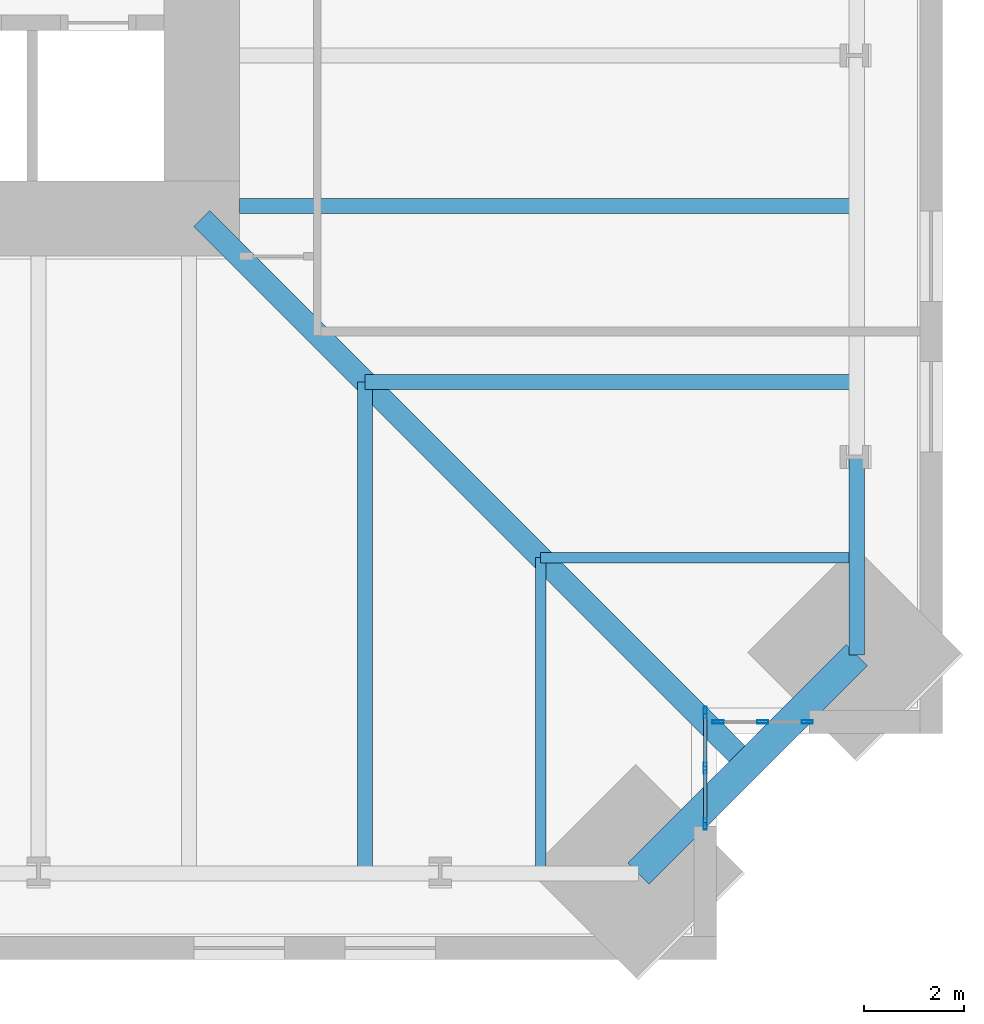
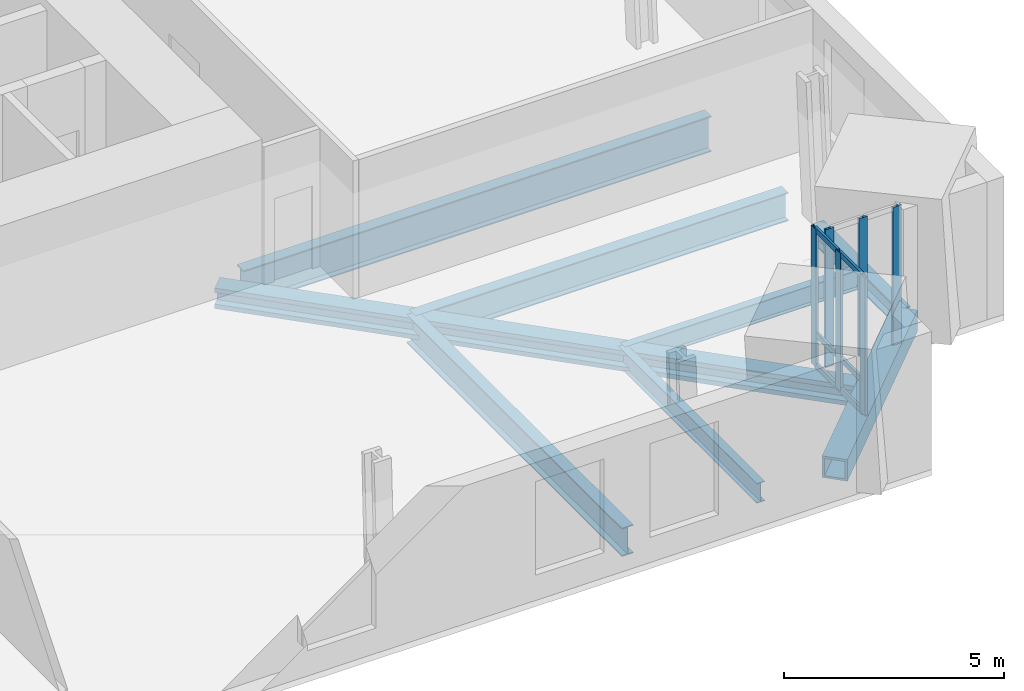
# One storey, part 4 of 18: 12 members, 8 beams, 2 elements without a shape of their own.
"""IFC4 building model written with IfcOpenShell, lengths in metres."""

from ifc_helpers import new_model, si_unit, direction, frame, origin, origin_2d, place, context, subcontext, project, spatial, hollow_rectangle, i_section, extrude, material, material_profile, profile_set, type_object, element, aggregate, save


model = new_model("IFC4")

# Units and contexts
model_context = context("Model", 3, precision=1e-05, world=origin(), true_north=direction((0.0, 1.0)))
body_context = subcontext(model_context, "Body", "Model", "MODEL_VIEW")
ifc_project = project(units=[si_unit("LENGTHUNIT", "METRE"), si_unit("AREAUNIT", "SQUARE_METRE"), si_unit("VOLUMEUNIT", "CUBIC_METRE"), si_unit("PLANEANGLEUNIT", "RADIAN"), si_unit("MASSUNIT", "GRAM", prefix="KILO")], contexts=[model_context])

# Site, building, storey
site_placement = place(None, origin())
site = spatial("IfcSite", under=ifc_project, at=site_placement, CompositionType="ELEMENT")
building_placement = place(site_placement, origin())
building = spatial("IfcBuilding", under=site, at=building_placement, Name="Peilmerk Tower", CompositionType="ELEMENT")
storey_placement = place(building_placement, frame((0.0, 0.0, 163.800048828125)))
storey = spatial("IfcBuildingStorey", under=building, at=storey_placement, Name="L34", CompositionType="ELEMENT", Elevation=163.800048828125)

# Beams
ifc_material_1 = material(Name="Steel S355", Category="steel")
ifc_material_profile_1 = material_profile(ifc_material_1, i_section(OverallWidth=0.2099609375, OverallDepth=0.550048828125, WebThickness=0.010986328125, FlangeThickness=0.01708984375, at=origin_2d()), Name="IPE 550")
ifc_profile_set_1 = profile_set([ifc_material_profile_1], Name="Steel S355")
beam_type_1 = type_object("IfcBeamType", Name="B12 IPE 550 floor beam", PredefinedType="BEAM", material=ifc_profile_set_1)
for number, where, z_axis, x_axis, name in (
    (1, (18.0, -18.0, -0.445068359375), (0.0, -1.0, 0.0), (1.0, 0.0, 0.0), "Floor beam L34"),
    (2, (18.0, -18.0, -0.445068359375), (1.0, 0.0, 0.0), (0.0, 1.0, 0.0), "Floor beam L34"),
):
    element("IfcBeam", number, at=place(storey_placement, frame(where, z_axis=z_axis, x_axis=x_axis)), inside=storey, type_object=beam_type_1, Name=name, PredefinedType="BEAM", context=body_context, shape_type="SweptSolid", body=[
        extrude(i_section(OverallWidth=0.2099609375, OverallDepth=0.550048828125, WebThickness=0.010986328125, FlangeThickness=0.01708984375, at=origin_2d()), origin(), (0.0, 0.0, 1.0), 6.2919921875),
    ])
ifc_material_profile_2 = material_profile(ifc_material_1, i_section(OverallWidth=0.300048828125, OverallDepth=0.989990234375, WebThickness=0.0166015625, FlangeThickness=0.031005859375, at=origin_2d()), Name="HEA 1000")
ifc_profile_set_2 = profile_set([ifc_material_profile_2], Name="Steel S355")
beam_type_2 = type_object("IfcBeamType", Name="B14 HEA 1000 floor girder", PredefinedType="BEAM", material=ifc_profile_set_2)
beam_1_placement = place(storey_placement, frame((12.0, -11.0, -0.6650390625), z_axis=(1.0, 0.0, 0.0), x_axis=(0.0, 1.0, 0.0)))
element("IfcBeam", 3, at=beam_1_placement, inside=storey, type_object=beam_type_2, Name="Floor beam L34", PredefinedType="BEAM", context=body_context, shape_type="SweptSolid", body=[
    extrude(i_section(OverallWidth=0.300048828125, OverallDepth=0.989990234375, WebThickness=0.0166015625, FlangeThickness=0.031005859375, at=origin_2d()), origin(), (0.0, 0.0, 1.0), 12.2919921875),
])
ifc_material_2 = material(Name="Steel S460", Category="steel")
ifc_material_profile_3 = material_profile(ifc_material_2, hollow_rectangle(XDim=0.60009765625, YDim=0.60009765625, WallThickness=0.06005859375, at=origin_2d()), Name="BOX 600x600x60")
ifc_profile_set_3 = profile_set([ifc_material_profile_3], Name="Steel S460")
beam_type_3 = type_object("IfcBeamType", Name="B20 BOX 600x600x60 notch beam", PredefinedType="SPANDREL", material=ifc_profile_set_3)
beam_2_placement = place(storey_placement, frame((24.2919921875, -19.94189453125, -0.469970703125), z_axis=(-0.707106781187, -0.707106781187, 0.0), x_axis=(0.707106781187, -0.707106781187, 0.0)))
element("IfcBeam", 4, at=beam_2_placement, inside=storey, type_object=beam_type_3, Name="Notch beam L34", PredefinedType="SPANDREL", context=body_context, shape_type="SweptSolid", body=[
    extrude(hollow_rectangle(XDim=0.60009765625, YDim=0.60009765625, WallThickness=0.06005859375, at=origin_2d()), origin(), (0.0, 0.0, 1.0), 6.15185546875),
])
ifc_material_profile_4 = material_profile(ifc_material_1, i_section(OverallWidth=0.300048828125, OverallDepth=0.7900390625, WebThickness=0.014892578125, FlangeThickness=0.028076171875, at=origin_2d()), Name="HEA 800")
ifc_profile_set_4 = profile_set([ifc_material_profile_4], Name="Steel S355")
beam_type_4 = type_object("IfcBeamType", Name="B3 HEA 800 floor beam", PredefinedType="BEAM", material=ifc_profile_set_4)
for number, where, z_axis, x_axis, name in (
    (5, (14.5, -14.5, -0.56494140625), (0.0, -1.0, 0.0), (1.0, 0.0, 0.0), "Floor beam L34"),
    (6, (14.5, -14.5, -0.56494140625), (1.0, 0.0, 0.0), (0.0, 1.0, 0.0), "Floor beam L34"),
):
    element("IfcBeam", number, at=place(storey_placement, frame(where, z_axis=z_axis, x_axis=x_axis)), inside=storey, type_object=beam_type_4, Name=name, PredefinedType="BEAM", context=body_context, shape_type="SweptSolid", body=[
        extrude(i_section(OverallWidth=0.300048828125, OverallDepth=0.7900390625, WebThickness=0.014892578125, FlangeThickness=0.028076171875, at=origin_2d()), origin(), (0.0, 0.0, 1.0), 9.7919921875),
    ])
ifc_material_profile_5 = material_profile(ifc_material_1, i_section(OverallWidth=0.305908203125, OverallDepth=0.52392578125, WebThickness=0.02099609375, FlangeThickness=0.0400390625, at=origin_2d()), Name="HEM 500")
ifc_profile_set_5 = profile_set([ifc_material_profile_5], Name="Steel S355")
beam_type_5 = type_object("IfcBeamType", Name="B33 HEM 500 edge beam", PredefinedType="SPANDREL", material=ifc_profile_set_5)
beam_3_placement = place(storey_placement, frame((24.2919921875, -19.94189453125, -0.43212890625), z_axis=(0.0, 1.0, 0.0), x_axis=(-1.0, 0.0, 0.0)))
element("IfcBeam", 7, at=beam_3_placement, inside=storey, type_object=beam_type_5, Name="Edge beam L34", PredefinedType="SPANDREL", context=body_context, shape_type="SweptSolid", body=[
    extrude(i_section(OverallWidth=0.305908203125, OverallDepth=0.52392578125, WebThickness=0.02099609375, FlangeThickness=0.0400390625, at=origin_2d()), origin(), (0.0, 0.0, 1.0), 3.94189453125),
])
ifc_material_profile_6 = material_profile(ifc_material_2, i_section(OverallWidth=0.4541015625, OverallDepth=0.569091796875, WebThickness=0.077880859375, FlangeThickness=0.125, at=origin_2d()), Name="HD 400x1086")
ifc_profile_set_6 = profile_set([ifc_material_profile_6], Name="Steel S460")
beam_type_6 = type_object("IfcBeamType", Name="B9 HD 400x1086 corner girder", PredefinedType="BEAM", material=ifc_profile_set_6)
beam_4_placement = place(storey_placement, frame((11.25, -11.25, -0.45458984375), z_axis=(0.707106781187, -0.707106781187, 0.0), x_axis=(0.707106781187, 0.707106781187, 0.0)))
element("IfcBeam", 8, at=beam_4_placement, inside=storey, type_object=beam_type_6, Name="Corner girder L34", PredefinedType="BEAM", context=body_context, shape_type="SweptSolid", body=[
    extrude(i_section(OverallWidth=0.4541015625, OverallDepth=0.569091796875, WebThickness=0.077880859375, FlangeThickness=0.125, at=origin_2d()), origin(), (0.0, 0.0, 1.0), 15.3681640625),
])

# Curtain wall, members
ifc_material_3 = material(Name="Aluminium stick curtain wall", Category="aluminium")
curtain_wall_type = type_object("IfcCurtainWallType", Name="CW3 stick curtain wall, 2250 module", PredefinedType="NOTDEFINED", material=ifc_material_3)
curtain_wall_1_placement = place(storey_placement, origin())
curtain_wall_1 = element("IfcCurtainWall", 9, at=curtain_wall_1_placement, inside=storey, type_object=curtain_wall_type, Name="Curtain wall CW3 SEA L34", PredefinedType="NOTDEFINED")
ifc_material_4 = material(Name="Aluminium EN AW-6063 T6", Category="aluminium")
ifc_material_profile_7 = material_profile(ifc_material_4, hollow_rectangle(XDim=0.06494140625, YDim=0.22509765625, WallThickness=0.00390625, at=origin_2d()), Name="AL 225x65x4")
ifc_profile_set_7 = profile_set([ifc_material_profile_7], Name="Aluminium EN AW-6063 T6")
member_type_1 = type_object("IfcMemberType", Name="CW3-M AL 225x65x4 mullion", PredefinedType="MULLION", material=ifc_profile_set_7)
member_1_placement = place(storey_placement, frame((21.27490234375, -21.08251953125, 0.0), z_axis=(0.0, 0.0, 1.0), x_axis=(1.0, 0.0, 0.0)))
member_1 = element("IfcMember", 10, at=member_1_placement, type_object=member_type_1, Name="CW3 mullion 1", PredefinedType="MULLION", context=body_context, shape_type="SweptSolid", body=[
    extrude(hollow_rectangle(XDim=0.06494140625, YDim=0.22509765625, WallThickness=0.00390625, at=origin_2d()), origin(), (0.0, 0.0, 1.0), 3.829833984375),
])
member_2_placement = place(storey_placement, frame((21.27490234375, -22.1943359375, 0.0), z_axis=(0.0, 0.0, 1.0), x_axis=(1.0, 0.0, 0.0)))
member_2 = element("IfcMember", 11, at=member_2_placement, type_object=member_type_1, Name="CW3 mullion 2", PredefinedType="MULLION", context=body_context, shape_type="SweptSolid", body=[
    extrude(hollow_rectangle(XDim=0.06494140625, YDim=0.22509765625, WallThickness=0.00390625, at=origin_2d()), origin(), (0.0, 0.0, 1.0), 3.829833984375),
])
member_3_placement = place(storey_placement, frame((21.27490234375, -23.30615234375, 0.0), z_axis=(0.0, 0.0, 1.0), x_axis=(1.0, 0.0, 0.0)))
member_3 = element("IfcMember", 12, at=member_3_placement, type_object=member_type_1, Name="CW3 mullion 3", PredefinedType="MULLION", context=body_context, shape_type="SweptSolid", body=[
    extrude(hollow_rectangle(XDim=0.06494140625, YDim=0.22509765625, WallThickness=0.00390625, at=origin_2d()), origin(), (0.0, 0.0, 1.0), 3.829833984375),
])

curtain_wall_2_placement = place(storey_placement, origin())
curtain_wall_2 = element("IfcCurtainWall", 13, at=curtain_wall_2_placement, inside=storey, type_object=curtain_wall_type, Name="Curtain wall CW3 SEB L34", PredefinedType="NOTDEFINED")
member_4_placement = place(storey_placement, frame((21.532470703125, -21.27490234375, 0.0), z_axis=(0.0, 0.0, 1.0), x_axis=(0.0, 1.0, 0.0)))
member_4 = element("IfcMember", 14, at=member_4_placement, type_object=member_type_1, Name="CW3 mullion 1", PredefinedType="MULLION", context=body_context, shape_type="SweptSolid", body=[
    extrude(hollow_rectangle(XDim=0.06494140625, YDim=0.22509765625, WallThickness=0.00390625, at=origin_2d()), origin(), (0.0, 0.0, 1.0), 3.829833984375),
])
member_5_placement = place(storey_placement, frame((22.41943359375, -21.27490234375, 0.0), z_axis=(0.0, 0.0, 1.0), x_axis=(0.0, 1.0, 0.0)))
member_5 = element("IfcMember", 15, at=member_5_placement, type_object=member_type_1, Name="CW3 mullion 2", PredefinedType="MULLION", context=body_context, shape_type="SweptSolid", body=[
    extrude(hollow_rectangle(XDim=0.06494140625, YDim=0.22509765625, WallThickness=0.00390625, at=origin_2d()), origin(), (0.0, 0.0, 1.0), 3.829833984375),
])
member_6_placement = place(storey_placement, frame((23.30615234375, -21.27490234375, 0.0), z_axis=(0.0, 0.0, 1.0), x_axis=(0.0, 1.0, 0.0)))
member_6 = element("IfcMember", 16, at=member_6_placement, type_object=member_type_1, Name="CW3 mullion 3", PredefinedType="MULLION", context=body_context, shape_type="SweptSolid", body=[
    extrude(hollow_rectangle(XDim=0.06494140625, YDim=0.22509765625, WallThickness=0.00390625, at=origin_2d()), origin(), (0.0, 0.0, 1.0), 3.829833984375),
])
aggregate(curtain_wall_2, [member_4, member_5, member_6])

# Member
ifc_material_profile_8 = material_profile(ifc_material_4, hollow_rectangle(XDim=0.06494140625, YDim=0.14990234375, WallThickness=0.0029296875, at=origin_2d()), Name="AL 150x65x3")
ifc_profile_set_8 = profile_set([ifc_material_profile_8], Name="Aluminium EN AW-6063 T6")
member_type_2 = type_object("IfcMemberType", Name="CW3-T AL 150x65x3 transom", PredefinedType="USERDEFINED", material=ifc_profile_set_8)
member_7_placement = place(storey_placement, frame((21.27490234375, -21.114990234375, 0.032470703125), z_axis=(0.0, -1.0, 0.0), x_axis=(1.0, 0.0, 0.0)))
member_7 = element("IfcMember", 17, at=member_7_placement, type_object=member_type_2, Name="CW3 transom 1.1", ObjectType="TRANSOM", PredefinedType="USERDEFINED", context=body_context, shape_type="SweptSolid", body=[
    extrude(hollow_rectangle(XDim=0.06494140625, YDim=0.14990234375, WallThickness=0.0029296875, at=origin_2d()), origin(), (0.0, 0.0, 1.0), 1.046875),
])

member_8_placement = place(storey_placement, frame((21.27490234375, -21.114990234375, 0.89990234375), z_axis=(0.0, -1.0, 0.0), x_axis=(1.0, 0.0, 0.0)))
member_8 = element("IfcMember", 18, at=member_8_placement, type_object=member_type_2, Name="CW3 transom 1.2", ObjectType="TRANSOM", PredefinedType="USERDEFINED", context=body_context, shape_type="SweptSolid", body=[
    extrude(hollow_rectangle(XDim=0.06494140625, YDim=0.14990234375, WallThickness=0.0029296875, at=origin_2d()), origin(), (0.0, 0.0, 1.0), 1.046875),
])

member_9_placement = place(storey_placement, frame((21.27490234375, -21.114990234375, 3.79736328125), z_axis=(0.0, -1.0, 0.0), x_axis=(1.0, 0.0, 0.0)))
member_9 = element("IfcMember", 19, at=member_9_placement, type_object=member_type_2, Name="CW3 transom 1.3", ObjectType="TRANSOM", PredefinedType="USERDEFINED", context=body_context, shape_type="SweptSolid", body=[
    extrude(hollow_rectangle(XDim=0.06494140625, YDim=0.14990234375, WallThickness=0.0029296875, at=origin_2d()), origin(), (0.0, 0.0, 1.0), 1.046875),
])

member_10_placement = place(storey_placement, frame((21.27490234375, -22.226806640625, 0.032470703125), z_axis=(0.0, -1.0, 0.0), x_axis=(1.0, 0.0, 0.0)))
member_10 = element("IfcMember", 20, at=member_10_placement, type_object=member_type_2, Name="CW3 transom 2.1", ObjectType="TRANSOM", PredefinedType="USERDEFINED", context=body_context, shape_type="SweptSolid", body=[
    extrude(hollow_rectangle(XDim=0.06494140625, YDim=0.14990234375, WallThickness=0.0029296875, at=origin_2d()), origin(), (0.0, 0.0, 1.0), 1.046875),
])

member_11_placement = place(storey_placement, frame((21.27490234375, -22.226806640625, 0.89990234375), z_axis=(0.0, -1.0, 0.0), x_axis=(1.0, 0.0, 0.0)))
member_11 = element("IfcMember", 21, at=member_11_placement, type_object=member_type_2, Name="CW3 transom 2.2", ObjectType="TRANSOM", PredefinedType="USERDEFINED", context=body_context, shape_type="SweptSolid", body=[
    extrude(hollow_rectangle(XDim=0.06494140625, YDim=0.14990234375, WallThickness=0.0029296875, at=origin_2d()), origin(), (0.0, 0.0, 1.0), 1.046875),
])

member_12_placement = place(storey_placement, frame((21.27490234375, -22.226806640625, 3.79736328125), z_axis=(0.0, -1.0, 0.0), x_axis=(1.0, 0.0, 0.0)))
member_12 = element("IfcMember", 22, at=member_12_placement, type_object=member_type_2, Name="CW3 transom 2.3", ObjectType="TRANSOM", PredefinedType="USERDEFINED", context=body_context, shape_type="SweptSolid", body=[
    extrude(hollow_rectangle(XDim=0.06494140625, YDim=0.14990234375, WallThickness=0.0029296875, at=origin_2d()), origin(), (0.0, 0.0, 1.0), 1.046875),
])

aggregate(curtain_wall_1, [member_1, member_2, member_3, member_7, member_8, member_9, member_10, member_11, member_12])

save(model, "model.ifc")
